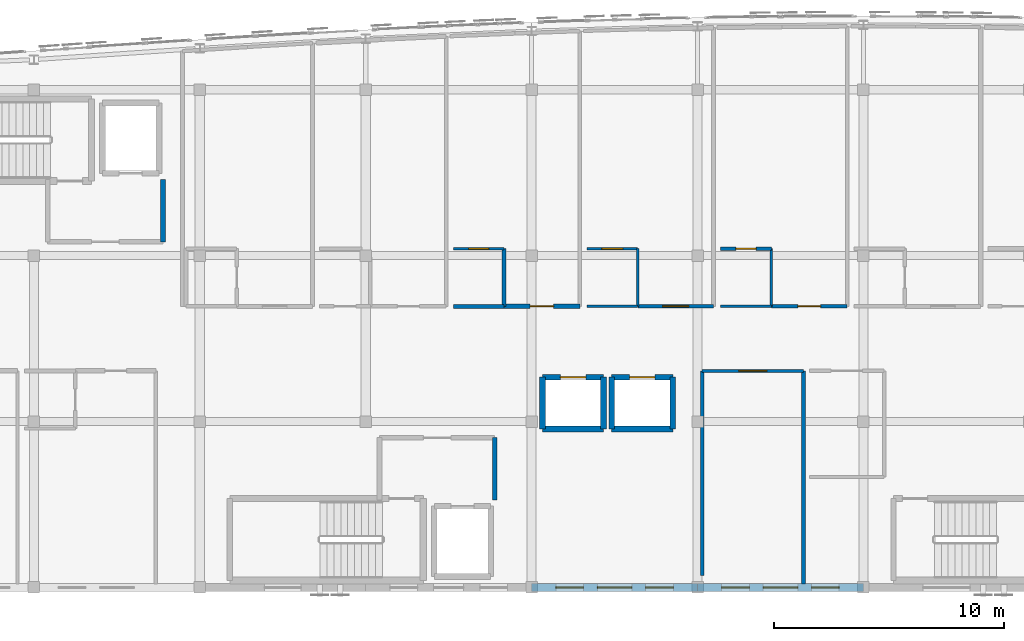
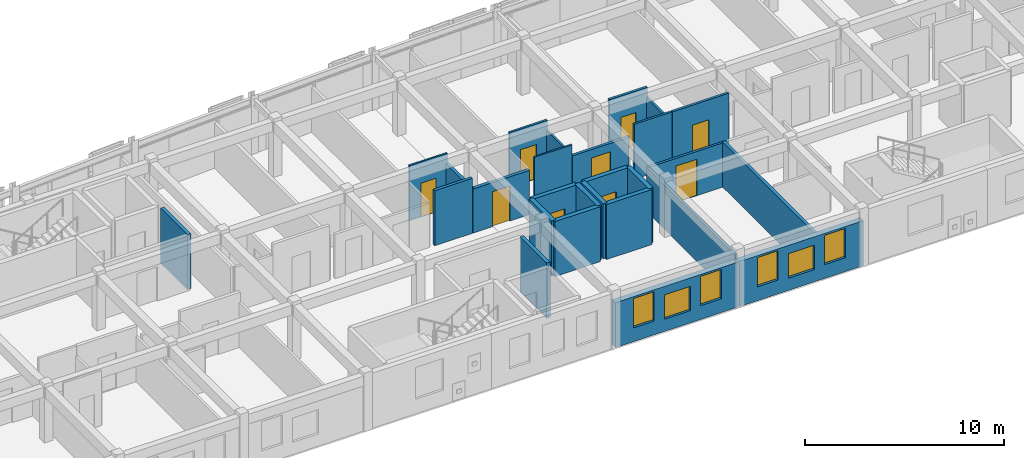
# One storey, part 28 of 34: 27 walls, 9 doors, 6 windows, 15 openings.
"""IFC4 building model written with IfcOpenShell, lengths in metres."""

from ifc_helpers import new_model, si_unit, direction, frame, frame_2d, origin, place, context, subcontext, project, spatial, rectangle, extrude, material, layer, layer_set, type_object, element, fill, save


model = new_model("IFC4")

# Units and contexts
model_context = context("Model", 3, precision=1e-05, world=origin(), true_north=direction((0.0, 1.0)))
body_context = subcontext(model_context, "Body", "Model", "MODEL_VIEW")
ifc_project = project(units=[si_unit("LENGTHUNIT", "METRE"), si_unit("AREAUNIT", "SQUARE_METRE"), si_unit("VOLUMEUNIT", "CUBIC_METRE"), si_unit("PLANEANGLEUNIT", "RADIAN"), si_unit("MASSUNIT", "GRAM", prefix="KILO")], contexts=[model_context])

# Site, building, storey
site_placement = place(None, origin())
site = spatial("IfcSite", under=ifc_project, at=site_placement, CompositionType="ELEMENT")
building_placement = place(site_placement, origin())
building = spatial("IfcBuilding", under=site, at=building_placement, Name="Carrowvane Square Congress Hotel", CompositionType="ELEMENT")
storey_placement = place(building_placement, frame((0.0, 0.0, 40.800048828125)))
storey = spatial("IfcBuildingStorey", under=building, at=storey_placement, Name="L10", CompositionType="ELEMENT", Elevation=40.800048828125)

# Wall, openings, windows
ifc_material_1 = material(Name="Glazed terracotta rainscreen", Category="masonry")
ifc_layer_1 = layer(ifc_material_1, 0.330078125)
ifc_layer_set_1 = layer_set([ifc_layer_1], Name="Glazed terracotta rainscreen")
wall_type_1 = type_object("IfcWallType", Name="WL-EXT-TC330", PredefinedType="STANDARD", material=ifc_layer_set_1)
wall_1_placement = place(storey_placement, frame((98.0, 91.800048828125, 0.0), z_axis=(0.0, 0.0, 1.0), x_axis=(-1.0, 0.0, 0.0)))
wall_1 = element("IfcWall", 1, at=wall_1_placement, inside=storey, type_object=wall_type_1, Name="L10 exterior facade wall 592", PredefinedType="STANDARD", context=body_context, shape_type="SweptSolid", body=[
    extrude(rectangle(XDim=7.199951171875, YDim=0.330078125, at=frame_2d((3.60009765625, 0.0))), origin(), (0.0, 0.0, 1.0), 2.764892578125),
])
opening_1_placement = place(wall_1_placement, frame((2.85009765625, 0.0, 0.75)))
opening_1 = element("IfcOpeningElement", 2, at=opening_1_placement, cuts=wall_1, Name="Opening W-15", PredefinedType="OPENING", context=body_context, shape_type="SweptSolid", body=[
    extrude(rectangle(XDim=1.5, YDim=1.5, at=frame_2d((0.75, 0.75))), frame((0.0, 0.175048828125, 0.0), z_axis=(0.0, -1.0, 0.0), x_axis=(1.0, 0.0, 0.0)), (0.0, 0.0, 1.0), 0.35009765625),
])
opening_2_placement = place(wall_1_placement, frame((1.050048828125, 0.0, 0.85009765625)))
opening_2 = element("IfcOpeningElement", 3, at=opening_2_placement, cuts=wall_1, Name="Opening W-01", PredefinedType="OPENING", context=body_context, shape_type="SweptSolid", body=[
    extrude(rectangle(XDim=1.199951171875, YDim=1.800048828125, at=frame_2d((0.60009765625, 0.89990234375))), frame((0.0, 0.175048828125, 0.0), z_axis=(0.0, -1.0, 0.0), x_axis=(1.0, 0.0, 0.0)), (0.0, 0.0, 1.0), 0.35009765625),
])
opening_3_placement = place(wall_1_placement, frame((4.949951171875, 0.0, 0.85009765625)))
opening_3 = element("IfcOpeningElement", 4, at=opening_3_placement, cuts=wall_1, Name="Opening W-01", PredefinedType="OPENING", context=body_context, shape_type="SweptSolid", body=[
    extrude(rectangle(XDim=1.199951171875, YDim=1.800048828125, at=frame_2d((0.60009765625, 0.89990234375))), frame((0.0, 0.175048828125, 0.0), z_axis=(0.0, -1.0, 0.0), x_axis=(1.0, 0.0, 0.0)), (0.0, 0.0, 1.0), 0.35009765625),
])
ifc_material_2 = material(Name="Double-glazed low-E glass", Category="glass")
window_type_1 = type_object("IfcWindowType", Name="WIN-01", PartitioningType="SINGLE_PANEL", PredefinedType="WINDOW", material=ifc_material_2)
window_1_placement = place(opening_2_placement, origin())
window_1 = element("IfcWindow", 5, at=window_1_placement, inside=storey, type_object=window_type_1, Name="L10 guest bedroom window 469", OverallHeight=1.800048828125, OverallWidth=1.199951171875, PartitioningType="SINGLE_PANEL", PredefinedType="WINDOW", context=body_context, shape_type="SweptSolid", body=[
    extrude(rectangle(XDim=1.199951171875, YDim=1.800048828125, at=frame_2d((0.60009765625, 0.89990234375))), frame((0.0, 0.030029296875, 0.0), z_axis=(0.0, -1.0, 0.0), x_axis=(1.0, 0.0, 0.0)), (0.0, 0.0, 1.0), 0.06005859375),
])
fill(opening_2, window_1)
window_2_placement = place(opening_3_placement, origin())
window_2 = element("IfcWindow", 6, at=window_2_placement, inside=storey, type_object=window_type_1, Name="L10 guest bedroom window 470", OverallHeight=1.800048828125, OverallWidth=1.199951171875, PartitioningType="SINGLE_PANEL", PredefinedType="WINDOW", context=body_context, shape_type="SweptSolid", body=[
    extrude(rectangle(XDim=1.199951171875, YDim=1.800048828125, at=frame_2d((0.60009765625, 0.89990234375))), frame((0.0, 0.030029296875, 0.0), z_axis=(0.0, -1.0, 0.0), x_axis=(1.0, 0.0, 0.0)), (0.0, 0.0, 1.0), 0.06005859375),
])
fill(opening_3, window_2)
ifc_material_3 = material(Name="Double-glazed low-E glass", Category="glass")
window_type_2 = type_object("IfcWindowType", Name="WIN-15", PartitioningType="SINGLE_PANEL", PredefinedType="WINDOW", material=ifc_material_3)
window_3_placement = place(opening_1_placement, origin())
window_3 = element("IfcWindow", 7, at=window_3_placement, inside=storey, type_object=window_type_2, Name="L10 facade window 468", OverallHeight=1.5, OverallWidth=1.5, PartitioningType="SINGLE_PANEL", PredefinedType="WINDOW", context=body_context, shape_type="SweptSolid", body=[
    extrude(rectangle(XDim=1.5, YDim=1.5, at=frame_2d((0.75, 0.75))), frame((0.0, 0.030029296875, 0.0), z_axis=(0.0, -1.0, 0.0), x_axis=(1.0, 0.0, 0.0)), (0.0, 0.0, 1.0), 0.06005859375),
])
fill(opening_1, window_3)

wall_2_placement = place(storey_placement, frame((90.800048828125, 91.800048828125, 0.0), z_axis=(0.0, 0.0, 1.0), x_axis=(-1.0, 0.0, 0.0)))
wall_2 = element("IfcWall", 8, at=wall_2_placement, inside=storey, type_object=wall_type_1, Name="L10 exterior facade wall 593", PredefinedType="STANDARD", context=body_context, shape_type="SweptSolid", body=[
    extrude(rectangle(XDim=7.199951171875, YDim=0.330078125, at=frame_2d((3.60009765625, 0.0))), origin(), (0.0, 0.0, 1.0), 2.764892578125),
])
opening_4_placement = place(wall_2_placement, frame((2.85009765625, 0.0, 0.75)))
opening_4 = element("IfcOpeningElement", 9, at=opening_4_placement, cuts=wall_2, Name="Opening W-15", PredefinedType="OPENING", context=body_context, shape_type="SweptSolid", body=[
    extrude(rectangle(XDim=1.5, YDim=1.5, at=frame_2d((0.75, 0.75))), frame((0.0, 0.175048828125, 0.0), z_axis=(0.0, -1.0, 0.0), x_axis=(1.0, 0.0, 0.0)), (0.0, 0.0, 1.0), 0.35009765625),
])
opening_5_placement = place(wall_2_placement, frame((1.050048828125, 0.0, 0.85009765625)))
opening_5 = element("IfcOpeningElement", 10, at=opening_5_placement, cuts=wall_2, Name="Opening W-01", PredefinedType="OPENING", context=body_context, shape_type="SweptSolid", body=[
    extrude(rectangle(XDim=1.199951171875, YDim=1.800048828125, at=frame_2d((0.60009765625, 0.89990234375))), frame((0.0, 0.175048828125, 0.0), z_axis=(0.0, -1.0, 0.0), x_axis=(1.0, 0.0, 0.0)), (0.0, 0.0, 1.0), 0.35009765625),
])
opening_6_placement = place(wall_2_placement, frame((4.949951171875, 0.0, 0.85009765625)))
opening_6 = element("IfcOpeningElement", 11, at=opening_6_placement, cuts=wall_2, Name="Opening W-01", PredefinedType="OPENING", context=body_context, shape_type="SweptSolid", body=[
    extrude(rectangle(XDim=1.199951171875, YDim=1.800048828125, at=frame_2d((0.60009765625, 0.89990234375))), frame((0.0, 0.175048828125, 0.0), z_axis=(0.0, -1.0, 0.0), x_axis=(1.0, 0.0, 0.0)), (0.0, 0.0, 1.0), 0.35009765625),
])
window_4_placement = place(opening_5_placement, origin())
window_4 = element("IfcWindow", 12, at=window_4_placement, inside=storey, type_object=window_type_1, Name="L10 guest bedroom window 472", OverallHeight=1.800048828125, OverallWidth=1.199951171875, PartitioningType="SINGLE_PANEL", PredefinedType="WINDOW", context=body_context, shape_type="SweptSolid", body=[
    extrude(rectangle(XDim=1.199951171875, YDim=1.800048828125, at=frame_2d((0.60009765625, 0.89990234375))), frame((0.0, 0.030029296875, 0.0), z_axis=(0.0, -1.0, 0.0), x_axis=(1.0, 0.0, 0.0)), (0.0, 0.0, 1.0), 0.06005859375),
])
fill(opening_5, window_4)
window_5_placement = place(opening_6_placement, origin())
window_5 = element("IfcWindow", 13, at=window_5_placement, inside=storey, type_object=window_type_1, Name="L10 guest bedroom window 473", OverallHeight=1.800048828125, OverallWidth=1.199951171875, PartitioningType="SINGLE_PANEL", PredefinedType="WINDOW", context=body_context, shape_type="SweptSolid", body=[
    extrude(rectangle(XDim=1.199951171875, YDim=1.800048828125, at=frame_2d((0.60009765625, 0.89990234375))), frame((0.0, 0.030029296875, 0.0), z_axis=(0.0, -1.0, 0.0), x_axis=(1.0, 0.0, 0.0)), (0.0, 0.0, 1.0), 0.06005859375),
])
fill(opening_6, window_5)
window_6_placement = place(opening_4_placement, origin())
window_6 = element("IfcWindow", 14, at=window_6_placement, inside=storey, type_object=window_type_2, Name="L10 facade window 471", OverallHeight=1.5, OverallWidth=1.5, PartitioningType="SINGLE_PANEL", PredefinedType="WINDOW", context=body_context, shape_type="SweptSolid", body=[
    extrude(rectangle(XDim=1.5, YDim=1.5, at=frame_2d((0.75, 0.75))), frame((0.0, 0.030029296875, 0.0), z_axis=(0.0, -1.0, 0.0), x_axis=(1.0, 0.0, 0.0)), (0.0, 0.0, 1.0), 0.06005859375),
])
fill(opening_4, window_6)

# Wall, opening, door
ifc_material_4 = material(Name="Acoustic gypsum board", Category="gypsum")
ifc_layer_2 = layer(ifc_material_4, 0.155029296875)
ifc_layer_set_2 = layer_set([ifc_layer_2], Name="Acoustic gypsum board")
wall_type_2 = type_object("IfcWallType", Name="WL-FIR-155", PredefinedType="PARTITIONING", material=ifc_layer_set_2)
wall_3_placement = place(storey_placement, frame((91.489990234375, 104.0, 0.0), z_axis=(0.0, 0.0, 1.0), x_axis=(-1.0, 0.0, 0.0)))
wall_3 = element("IfcWall", 15, at=wall_3_placement, inside=storey, type_object=wall_type_2, Name="L10 Parkview Suite 1011 partition", PredefinedType="PARTITIONING", context=body_context, shape_type="SweptSolid", body=[
    extrude(rectangle(XDim=3.280029296875, YDim=0.155029296875, at=frame_2d((1.64013671875, 0.0))), origin(), (0.0, 0.0, 1.0), 2.71484375),
])
opening_7_placement = place(wall_3_placement, frame((1.080078125, 0.0, 0.0)))
opening_7 = element("IfcOpeningElement", 16, at=opening_7_placement, cuts=wall_3, Name="Opening FD-10", PredefinedType="OPENING", context=body_context, shape_type="SweptSolid", body=[
    extrude(rectangle(XDim=1.1201171875, YDim=2.199951171875, at=frame_2d((0.56005859375, 1.10009765625))), frame((0.0, 0.08740234375, 0.0), z_axis=(0.0, -1.0, 0.0), x_axis=(1.0, 0.0, 0.0)), (0.0, 0.0, 1.0), 0.175048828125),
])
ifc_material_5 = material(Name="European oak timber", Category="wood")
door_type_1 = type_object("IfcDoorType", Name="DR-FD30-1120x2200", OperationType="NOTDEFINED", PredefinedType="DOOR", material=ifc_material_5)
door_1_placement = place(opening_7_placement, origin())
door_1 = element("IfcDoor", 17, at=door_1_placement, inside=storey, type_object=door_type_1, Name="L10 Parkview Suite 1011 entrance door", OperationType="SINGLE_SWING_LEFT", OverallHeight=2.199951171875, OverallWidth=1.1201171875, PredefinedType="DOOR", context=body_context, shape_type="SweptSolid", body=[
    extrude(rectangle(XDim=1.1201171875, YDim=2.199951171875, at=frame_2d((0.56005859375, 1.10009765625))), frame((0.0, 0.02490234375, 0.0), z_axis=(0.0, -1.0, 0.0), x_axis=(1.0, 0.0, 0.0)), (0.0, 0.0, 1.0), 0.050048828125),
])
fill(opening_7, door_1)

# Walls
ifc_material_6 = material(Name="Acoustic gypsum board", Category="gypsum")
ifc_layer_3 = layer(ifc_material_6, 0.169921875)
ifc_layer_set_3 = layer_set([ifc_layer_3], Name="Acoustic gypsum board")
wall_type_3 = type_object("IfcWallType", Name="WL-FIR-170", PredefinedType="PARTITIONING", material=ifc_layer_set_3)
wall_4_placement = place(storey_placement, frame((82.39990234375, 104.0, 0.0), z_axis=(0.0, 0.0, 1.0), x_axis=(-1.0, 0.0, 0.0)))
element("IfcWall", 18, at=wall_4_placement, inside=storey, type_object=wall_type_3, Name="L10 En-suite Bathroom 1010 partition", PredefinedType="PARTITIONING", context=body_context, shape_type="SweptSolid", body=[
    extrude(rectangle(XDim=2.199951171875, YDim=0.169921875, at=frame_2d((1.10009765625, 0.0))), origin(), (0.0, 0.0, 1.0), 3.3798828125),
])
ifc_material_7 = material(Name="Acoustic gypsum board", Category="gypsum")
ifc_layer_4 = layer(ifc_material_7, 0.18505859375)
ifc_layer_set_4 = layer_set([ifc_layer_4], Name="Acoustic gypsum board")
wall_type_4 = type_object("IfcWallType", Name="WL-FIR-185", PredefinedType="PARTITIONING", material=ifc_layer_set_4)
wall_5_placement = place(storey_placement, frame((95.39990234375, 101.199951171875, 0.0), z_axis=(0.0, 0.0, 1.0), x_axis=(0.0, -1.0, 0.0)))
element("IfcWall", 19, at=wall_5_placement, inside=storey, type_object=wall_type_4, Name="L10 L10 Housekeeping Linen Pantry partition", PredefinedType="PARTITIONING", context=body_context, shape_type="SweptSolid", body=[
    extrude(rectangle(XDim=9.239990234375, YDim=0.18505859375, at=frame_2d((4.6201171875, 0.0))), origin(), (0.0, 0.0, 1.0), 2.764892578125),
])
wall_6_placement = place(storey_placement, frame((82.39990234375, 106.5, 0.0), z_axis=(0.0, 0.0, 1.0), x_axis=(0.0, -1.0, 0.0)))
element("IfcWall", 20, at=wall_6_placement, inside=storey, type_object=wall_type_4, Name="L10 En-suite Bathroom 1010 partition", PredefinedType="PARTITIONING", context=body_context, shape_type="SweptSolid", body=[
    extrude(rectangle(XDim=2.5, YDim=0.18505859375, at=frame_2d((1.25, 0.0))), origin(), (0.0, 0.0, 1.0), 2.764892578125),
])

# Wall, opening, door
wall_7_placement = place(storey_placement, frame((85.68994140625, 104.0, 0.0), z_axis=(0.0, 0.0, 1.0), x_axis=(-1.0, 0.0, 0.0)))
wall_7 = element("IfcWall", 21, at=wall_7_placement, inside=storey, type_object=wall_type_4, Name="L10 Parkview Suite 1010 partition", PredefinedType="PARTITIONING", context=body_context, shape_type="SweptSolid", body=[
    extrude(rectangle(XDim=3.280029296875, YDim=0.18505859375, at=frame_2d((1.64013671875, 0.0))), origin(), (0.0, 0.0, 1.0), 2.71484375),
])
opening_8_placement = place(wall_7_placement, frame((1.1298828125, 0.0, 0.0)))
opening_8 = element("IfcOpeningElement", 22, at=opening_8_placement, cuts=wall_7, Name="Opening FD-08", PredefinedType="OPENING", context=body_context, shape_type="SweptSolid", body=[
    extrude(rectangle(XDim=1.02001953125, YDim=2.14990234375, at=frame_2d((0.510009765625, 1.074951171875))), frame((0.0, 0.1025390625, 0.0), z_axis=(0.0, -1.0, 0.0), x_axis=(1.0, 0.0, 0.0)), (0.0, 0.0, 1.0), 0.205078125),
])
ifc_material_8 = material(Name="European oak timber", Category="wood")
door_type_2 = type_object("IfcDoorType", Name="DR-FD30-1020x2150", OperationType="NOTDEFINED", PredefinedType="DOOR", material=ifc_material_8)
door_2_placement = place(opening_8_placement, origin())
door_2 = element("IfcDoor", 23, at=door_2_placement, inside=storey, type_object=door_type_2, Name="L10 Parkview Suite 1010 entrance door", OperationType="SINGLE_SWING_LEFT", OverallHeight=2.14990234375, OverallWidth=1.02001953125, PredefinedType="DOOR", context=body_context, shape_type="SweptSolid", body=[
    extrude(rectangle(XDim=1.02001953125, YDim=2.14990234375, at=frame_2d((0.510009765625, 1.074951171875))), frame((0.0, 0.02490234375, 0.0), z_axis=(0.0, -1.0, 0.0), x_axis=(1.0, 0.0, 0.0)), (0.0, 0.0, 1.0), 0.050048828125),
])
fill(opening_8, door_2)

# Walls
ifc_material_9 = material(Name="Acoustic gypsum board", Category="gypsum")
ifc_layer_5 = layer(ifc_material_9, 0.205078125)
ifc_layer_set_5 = layer_set([ifc_layer_5], Name="Acoustic gypsum board")
wall_type_5 = type_object("IfcWallType", Name="WL-FIR-205", PredefinedType="PARTITIONING", material=ifc_layer_set_5)
for number, where, z_axis, x_axis, name in (
    (24, (67.60009765625, 106.800048828125, 0.0), (0.0, 0.0, 1.0), (0.0, 1.0, 0.0), "L10 Firefighting Lobby C1 wall east"),
    (25, (82.0, 95.60009765625, 0.0), (0.0, 0.0, 1.0), (0.0, 1.0, 0.0), "L10 Firefighting Lobby C2 wall east"),
):
    element("IfcWall", number, at=place(storey_placement, frame(where, z_axis=z_axis, x_axis=x_axis)), inside=storey, type_object=wall_type_5, Name=name, PredefinedType="PARTITIONING", context=body_context, shape_type="SweptSolid", body=[
        extrude(rectangle(XDim=2.699951171875, YDim=0.205078125, at=frame_2d((1.35009765625, 0.0))), origin(), (0.0, 0.0, 1.0), 3.3798828125),
    ])

# Wall, opening, door
ifc_material_10 = material(Name="Acoustic gypsum board", Category="gypsum")
ifc_layer_6 = layer(ifc_material_10, 0.097900390625)
ifc_layer_set_6 = layer_set([ifc_layer_6], Name="Acoustic gypsum board")
wall_type_6 = type_object("IfcWallType", Name="WL-PRT-098", PredefinedType="PARTITIONING", material=ifc_layer_set_6)
wall_8_placement = place(storey_placement, frame((80.199951171875, 106.5, 0.0), z_axis=(0.0, 0.0, 1.0), x_axis=(1.0, 0.0, 0.0)))
wall_8 = element("IfcWall", 26, at=wall_8_placement, inside=storey, type_object=wall_type_6, Name="L10 En-suite Bathroom 1010 partition", PredefinedType="PARTITIONING", context=body_context, shape_type="SweptSolid", body=[
    extrude(rectangle(XDim=2.199951171875, YDim=0.097900390625, at=frame_2d((1.10009765625, 0.0))), origin(), (0.0, 0.0, 1.0), 3.3798828125),
])
opening_9_placement = place(wall_8_placement, frame((0.6650390625, 0.0, 0.0)))
opening_9 = element("IfcOpeningElement", 27, at=opening_9_placement, cuts=wall_8, Name="Opening ID-15", PredefinedType="OPENING", context=body_context, shape_type="SweptSolid", body=[
    extrude(rectangle(XDim=0.8701171875, YDim=2.070068359375, at=frame_2d((0.43505859375, 1.03515625))), frame((0.0, 0.058837890625, 0.0), z_axis=(0.0, -1.0, 0.0), x_axis=(1.0, 0.0, 0.0)), (0.0, 0.0, 1.0), 0.117919921875),
])
ifc_material_11 = material(Name="European oak timber", Category="wood")
door_type_3 = type_object("IfcDoorType", Name="DR-INT-0870x2070", OperationType="NOTDEFINED", PredefinedType="DOOR", material=ifc_material_11)
door_3_placement = place(opening_9_placement, origin())
door_3 = element("IfcDoor", 28, at=door_3_placement, inside=storey, type_object=door_type_3, Name="L10 En-suite Bathroom 1010 door", OperationType="SINGLE_SWING_RIGHT", OverallHeight=2.070068359375, OverallWidth=0.8701171875, PredefinedType="DOOR", context=body_context, shape_type="SweptSolid", body=[
    extrude(rectangle(XDim=0.8701171875, YDim=2.070068359375, at=frame_2d((0.43505859375, 1.03515625))), frame((0.0, 0.02490234375, 0.0), z_axis=(0.0, -1.0, 0.0), x_axis=(1.0, 0.0, 0.0)), (0.0, 0.0, 1.0), 0.050048828125),
])
fill(opening_9, door_3)

# Walls
wall_9_placement = place(storey_placement, frame((88.199951171875, 104.0, 0.0), z_axis=(0.0, 0.0, 1.0), x_axis=(-1.0, 0.0, 0.0)))
element("IfcWall", 29, at=wall_9_placement, inside=storey, type_object=wall_type_6, Name="L10 En-suite Bathroom 1011 partition", PredefinedType="PARTITIONING", context=body_context, shape_type="SweptSolid", body=[
    extrude(rectangle(XDim=2.199951171875, YDim=0.097900390625, at=frame_2d((1.10009765625, 0.0))), origin(), (0.0, 0.0, 1.0), 3.3798828125),
])
ifc_material_12 = material(Name="Acoustic gypsum board", Category="gypsum")
ifc_layer_7 = layer(ifc_material_12, 0.10791015625)
ifc_layer_set_7 = layer_set([ifc_layer_7], Name="Acoustic gypsum board")
wall_type_7 = type_object("IfcWallType", Name="WL-PRT-108", PredefinedType="PARTITIONING", material=ifc_layer_set_7)
wall_10_placement = place(storey_placement, frame((88.199951171875, 106.5, 0.0), z_axis=(0.0, 0.0, 1.0), x_axis=(0.0, -1.0, 0.0)))
element("IfcWall", 30, at=wall_10_placement, inside=storey, type_object=wall_type_7, Name="L10 En-suite Bathroom 1011 partition", PredefinedType="PARTITIONING", context=body_context, shape_type="SweptSolid", body=[
    extrude(rectangle(XDim=2.5, YDim=0.10791015625, at=frame_2d((1.25, 0.0))), origin(), (0.0, 0.0, 1.0), 2.764892578125),
])

# Wall, opening, door
ifc_material_13 = material(Name="Acoustic gypsum board", Category="gypsum")
ifc_layer_8 = layer(ifc_material_13, 0.117919921875)
ifc_layer_set_8 = layer_set([ifc_layer_8], Name="Acoustic gypsum board")
wall_type_8 = type_object("IfcWallType", Name="WL-PRT-118", PredefinedType="PARTITIONING", material=ifc_layer_set_8)
wall_11_placement = place(storey_placement, frame((86.0, 106.5, 0.0), z_axis=(0.0, 0.0, 1.0), x_axis=(1.0, 0.0, 0.0)))
wall_11 = element("IfcWall", 31, at=wall_11_placement, inside=storey, type_object=wall_type_8, Name="L10 En-suite Bathroom 1011 partition", PredefinedType="PARTITIONING", context=body_context, shape_type="SweptSolid", body=[
    extrude(rectangle(XDim=2.199951171875, YDim=0.117919921875, at=frame_2d((1.10009765625, 0.0))), origin(), (0.0, 0.0, 1.0), 3.3798828125),
])
opening_10_placement = place(wall_11_placement, frame((0.64501953125, 0.0, 0.0)))
opening_10 = element("IfcOpeningElement", 32, at=opening_10_placement, cuts=wall_11, Name="Opening ID-17", PredefinedType="OPENING", context=body_context, shape_type="SweptSolid", body=[
    extrude(rectangle(XDim=0.909912109375, YDim=2.110107421875, at=frame_2d((0.455078125, 1.05517578125))), frame((0.0, 0.06884765625, 0.0), z_axis=(0.0, -1.0, 0.0), x_axis=(1.0, 0.0, 0.0)), (0.0, 0.0, 1.0), 0.137939453125),
])
ifc_material_14 = material(Name="European oak timber", Category="wood")
door_type_4 = type_object("IfcDoorType", Name="DR-INT-0910x2110", OperationType="NOTDEFINED", PredefinedType="DOOR", material=ifc_material_14)
door_4_placement = place(opening_10_placement, origin())
door_4 = element("IfcDoor", 33, at=door_4_placement, inside=storey, type_object=door_type_4, Name="L10 En-suite Bathroom 1011 door", OperationType="SINGLE_SWING_RIGHT", OverallHeight=2.110107421875, OverallWidth=0.909912109375, PredefinedType="DOOR", context=body_context, shape_type="SweptSolid", body=[
    extrude(rectangle(XDim=0.909912109375, YDim=2.110107421875, at=frame_2d((0.455078125, 1.05517578125))), frame((0.0, 0.02490234375, 0.0), z_axis=(0.0, -1.0, 0.0), x_axis=(1.0, 0.0, 0.0)), (0.0, 0.0, 1.0), 0.050048828125),
])
fill(opening_10, door_4)

# Walls
wall_12_placement = place(storey_placement, frame((94.0, 104.0, 0.0), z_axis=(0.0, 0.0, 1.0), x_axis=(-1.0, 0.0, 0.0)))
element("IfcWall", 34, at=wall_12_placement, inside=storey, type_object=wall_type_8, Name="L10 En-suite Bathroom 1012 partition", PredefinedType="PARTITIONING", context=body_context, shape_type="SweptSolid", body=[
    extrude(rectangle(XDim=2.199951171875, YDim=0.117919921875, at=frame_2d((1.10009765625, 0.0))), origin(), (0.0, 0.0, 1.0), 3.3798828125),
])
ifc_material_15 = material(Name="Acoustic gypsum board", Category="gypsum")
ifc_layer_9 = layer(ifc_material_15, 0.1279296875)
ifc_layer_set_9 = layer_set([ifc_layer_9], Name="Acoustic gypsum board")
wall_type_9 = type_object("IfcWallType", Name="WL-PRT-128", PredefinedType="PARTITIONING", material=ifc_layer_set_9)
wall_13_placement = place(storey_placement, frame((94.0, 106.5, 0.0), z_axis=(0.0, 0.0, 1.0), x_axis=(0.0, -1.0, 0.0)))
element("IfcWall", 35, at=wall_13_placement, inside=storey, type_object=wall_type_9, Name="L10 En-suite Bathroom 1012 partition", PredefinedType="PARTITIONING", context=body_context, shape_type="SweptSolid", body=[
    extrude(rectangle(XDim=2.5, YDim=0.1279296875, at=frame_2d((1.25, 0.0))), origin(), (0.0, 0.0, 1.0), 2.764892578125),
])

# Wall, opening, door
ifc_material_16 = material(Name="Acoustic gypsum board", Category="gypsum")
ifc_layer_10 = layer(ifc_material_16, 0.137939453125)
ifc_layer_set_10 = layer_set([ifc_layer_10], Name="Acoustic gypsum board")
wall_type_10 = type_object("IfcWallType", Name="WL-PRT-138", PredefinedType="PARTITIONING", material=ifc_layer_set_10)
wall_14_placement = place(storey_placement, frame((91.0, 101.199951171875, 0.0), z_axis=(0.0, 0.0, 1.0), x_axis=(1.0, 0.0, 0.0)))
wall_14 = element("IfcWall", 36, at=wall_14_placement, inside=storey, type_object=wall_type_10, Name="L10 L10 Housekeeping Linen Pantry partition", PredefinedType="PARTITIONING", context=body_context, shape_type="SweptSolid", body=[
    extrude(rectangle(XDim=4.39990234375, YDim=0.137939453125, at=frame_2d((2.199951171875, 0.0))), origin(), (0.0, 0.0, 1.0), 2.71484375),
])
opening_11_placement = place(wall_14_placement, frame((1.590087890625, 0.0, 0.0)))
opening_11 = element("IfcOpeningElement", 37, at=opening_11_placement, cuts=wall_14, Name="Opening ID-24", PredefinedType="OPENING", context=body_context, shape_type="SweptSolid", body=[
    extrude(rectangle(XDim=1.219970703125, YDim=2.239990234375, at=frame_2d((0.60986328125, 1.1201171875))), frame((0.0, 0.078857421875, 0.0), z_axis=(0.0, -1.0, 0.0), x_axis=(1.0, 0.0, 0.0)), (0.0, 0.0, 1.0), 0.157958984375),
])
ifc_material_17 = material(Name="European oak timber", Category="wood")
door_type_5 = type_object("IfcDoorType", Name="DR-INT-1220x2240", OperationType="NOTDEFINED", PredefinedType="DOOR", material=ifc_material_17)
door_5_placement = place(opening_11_placement, origin())
door_5 = element("IfcDoor", 38, at=door_5_placement, inside=storey, type_object=door_type_5, Name="L10 L10 Housekeeping Linen Pantry entrance door", OperationType="SINGLE_SWING_LEFT", OverallHeight=2.239990234375, OverallWidth=1.219970703125, PredefinedType="DOOR", context=body_context, shape_type="SweptSolid", body=[
    extrude(rectangle(XDim=1.219970703125, YDim=2.239990234375, at=frame_2d((0.60986328125, 1.1201171875))), frame((0.0, 0.02490234375, 0.0), z_axis=(0.0, -1.0, 0.0), x_axis=(1.0, 0.0, 0.0)), (0.0, 0.0, 1.0), 0.050048828125),
])
fill(opening_11, door_5)

wall_15_placement = place(storey_placement, frame((91.800048828125, 106.5, 0.0), z_axis=(0.0, 0.0, 1.0), x_axis=(1.0, 0.0, 0.0)))
wall_15 = element("IfcWall", 39, at=wall_15_placement, inside=storey, type_object=wall_type_10, Name="L10 En-suite Bathroom 1012 partition", PredefinedType="PARTITIONING", context=body_context, shape_type="SweptSolid", body=[
    extrude(rectangle(XDim=2.199951171875, YDim=0.137939453125, at=frame_2d((1.10009765625, 0.0))), origin(), (0.0, 0.0, 1.0), 3.3798828125),
])
opening_12_placement = place(wall_15_placement, frame((0.659912109375, 0.0, 0.0)))
opening_12 = element("IfcOpeningElement", 40, at=opening_12_placement, cuts=wall_15, Name="Opening ID-01", PredefinedType="OPENING", context=body_context, shape_type="SweptSolid", body=[
    extrude(rectangle(XDim=0.8798828125, YDim=2.06005859375, at=frame_2d((0.43994140625, 1.030029296875))), frame((0.0, 0.078857421875, 0.0), z_axis=(0.0, -1.0, 0.0), x_axis=(1.0, 0.0, 0.0)), (0.0, 0.0, 1.0), 0.157958984375),
])
ifc_material_18 = material(Name="European oak timber", Category="wood")
door_type_6 = type_object("IfcDoorType", Name="DR-INT-0880x2060", OperationType="NOTDEFINED", PredefinedType="DOOR", material=ifc_material_18)
door_6_placement = place(opening_12_placement, origin())
door_6 = element("IfcDoor", 41, at=door_6_placement, inside=storey, type_object=door_type_6, Name="L10 En-suite Bathroom 1012 door", OperationType="SINGLE_SWING_RIGHT", OverallHeight=2.06005859375, OverallWidth=0.8798828125, PredefinedType="DOOR", context=body_context, shape_type="SweptSolid", body=[
    extrude(rectangle(XDim=0.8798828125, YDim=2.06005859375, at=frame_2d((0.43994140625, 1.030029296875))), frame((0.0, 0.02490234375, 0.0), z_axis=(0.0, -1.0, 0.0), x_axis=(1.0, 0.0, 0.0)), (0.0, 0.0, 1.0), 0.050048828125),
])
fill(opening_12, door_6)

wall_16_placement = place(storey_placement, frame((97.2900390625, 104.0, 0.0), z_axis=(0.0, 0.0, 1.0), x_axis=(-1.0, 0.0, 0.0)))
wall_16 = element("IfcWall", 42, at=wall_16_placement, inside=storey, type_object=wall_type_10, Name="L10 Parkview Suite 1012 partition", PredefinedType="PARTITIONING", context=body_context, shape_type="SweptSolid", body=[
    extrude(rectangle(XDim=3.280029296875, YDim=0.137939453125, at=frame_2d((1.64013671875, 0.0))), origin(), (0.0, 0.0, 1.0), 3.3798828125),
])
opening_13_placement = place(wall_16_placement, frame((1.14990234375, 0.0, 0.0)))
opening_13 = element("IfcOpeningElement", 43, at=opening_13_placement, cuts=wall_16, Name="Opening FD-07", PredefinedType="OPENING", context=body_context, shape_type="SweptSolid", body=[
    extrude(rectangle(XDim=0.97998046875, YDim=2.14990234375, at=frame_2d((0.489990234375, 1.074951171875))), frame((0.0, 0.078857421875, 0.0), z_axis=(0.0, -1.0, 0.0), x_axis=(1.0, 0.0, 0.0)), (0.0, 0.0, 1.0), 0.157958984375),
])
ifc_material_19 = material(Name="European oak timber", Category="wood")
door_type_7 = type_object("IfcDoorType", Name="DR-FD30-0980x2150", OperationType="NOTDEFINED", PredefinedType="DOOR", material=ifc_material_19)
door_7_placement = place(opening_13_placement, origin())
door_7 = element("IfcDoor", 44, at=door_7_placement, inside=storey, type_object=door_type_7, Name="L10 Parkview Suite 1012 entrance door", OperationType="SINGLE_SWING_LEFT", OverallHeight=2.14990234375, OverallWidth=0.97998046875, PredefinedType="DOOR", context=body_context, shape_type="SweptSolid", body=[
    extrude(rectangle(XDim=0.97998046875, YDim=2.14990234375, at=frame_2d((0.489990234375, 1.074951171875))), frame((0.0, 0.02490234375, 0.0), z_axis=(0.0, -1.0, 0.0), x_axis=(1.0, 0.0, 0.0)), (0.0, 0.0, 1.0), 0.050048828125),
])
fill(opening_13, door_7)

# Walls
ifc_material_20 = material(Name="Acoustic gypsum board", Category="gypsum")
ifc_layer_11 = layer(ifc_material_20, 0.14794921875)
ifc_layer_set_11 = layer_set([ifc_layer_11], Name="Acoustic gypsum board")
wall_type_11 = type_object("IfcWallType", Name="WL-PRT-148", PredefinedType="PARTITIONING", material=ifc_layer_set_11)
wall_17_placement = place(storey_placement, frame((91.0, 92.320068359375, 0.0), z_axis=(0.0, 0.0, 1.0), x_axis=(0.0, 1.0, 0.0)))
element("IfcWall", 45, at=wall_17_placement, inside=storey, type_object=wall_type_11, Name="L10 L10 Housekeeping Linen Pantry partition", PredefinedType="PARTITIONING", context=body_context, shape_type="SweptSolid", body=[
    extrude(rectangle(XDim=8.8798828125, YDim=0.14794921875, at=frame_2d((4.43994140625, 0.0))), origin(), (0.0, 0.0, 1.0), 2.71484375),
])
ifc_material_21 = material(Name="Concrete C40/50", Category="concrete")
ifc_layer_12 = layer(ifc_material_21, 0.25)
ifc_layer_set_12 = layer_set([ifc_layer_12], Name="Concrete C40/50")
wall_type_12 = type_object("IfcWallType", Name="WL-SHR-250", PredefinedType="SHEAR", material=ifc_layer_set_12)
wall_18_placement = place(storey_placement, frame((84.074951171875, 98.675048828125, 0.0), z_axis=(0.0, 0.0, 1.0), x_axis=(1.0, 0.0, 0.0)))
element("IfcWall", 46, at=wall_18_placement, inside=storey, type_object=wall_type_12, Name="L10 HL-1 shaft wall south", PredefinedType="SHEAR", context=body_context, shape_type="SweptSolid", body=[
    extrude(rectangle(XDim=2.650146484375, YDim=0.25, at=frame_2d((1.3251953125, 0.0))), origin(), (0.0, 0.0, 1.0), 3.3798828125),
])
wall_19_placement = place(storey_placement, frame((86.72509765625, 98.675048828125, 0.0), z_axis=(0.0, 0.0, 1.0), x_axis=(0.0, 1.0, 0.0)))
element("IfcWall", 47, at=wall_19_placement, inside=storey, type_object=wall_type_12, Name="L10 HL-1 shaft wall east", PredefinedType="SHEAR", context=body_context, shape_type="SweptSolid", body=[
    extrude(rectangle(XDim=2.25, YDim=0.25, at=frame_2d((1.125, 0.0))), origin(), (0.0, 0.0, 1.0), 3.3798828125),
])

# Wall, opening, door
wall_20_placement = place(storey_placement, frame((86.72509765625, 100.925048828125, 0.0), z_axis=(0.0, 0.0, 1.0), x_axis=(-1.0, 0.0, 0.0)))
wall_20 = element("IfcWall", 48, at=wall_20_placement, inside=storey, type_object=wall_type_12, Name="L10 HL-1 shaft wall north", PredefinedType="SHEAR", context=body_context, shape_type="SweptSolid", body=[
    extrude(rectangle(XDim=2.650146484375, YDim=0.25, at=frame_2d((1.3251953125, 0.0))), origin(), (0.0, 0.0, 1.0), 3.3798828125),
])
opening_14_placement = place(wall_20_placement, frame((0.77490234375, 0.0, 0.0)))
opening_14 = element("IfcOpeningElement", 49, at=opening_14_placement, cuts=wall_20, Name="Opening LD-HL-1", PredefinedType="OPENING", context=body_context, shape_type="SweptSolid", body=[
    extrude(rectangle(XDim=1.10009765625, YDim=2.14990234375, at=frame_2d((0.550048828125, 1.074951171875))), frame((0.0, 0.135009765625, 0.0), z_axis=(0.0, -1.0, 0.0), x_axis=(1.0, 0.0, 0.0)), (0.0, 0.0, 1.0), 0.27001953125),
])
ifc_material_22 = material(Name="Stainless steel 316", Category="steel")
door_type_8 = type_object("IfcDoorType", Name="DR-LD-1100x2150", OperationType="DOUBLE_DOOR_SLIDING", PredefinedType="DOOR", material=ifc_material_22)
door_8_placement = place(opening_14_placement, origin())
door_8 = element("IfcDoor", 50, at=door_8_placement, inside=storey, type_object=door_type_8, Name="L10 HL-1 sliding lift landing door", OperationType="DOUBLE_DOOR_SLIDING", OverallHeight=2.14990234375, OverallWidth=1.10009765625, PredefinedType="DOOR", context=body_context, shape_type="SweptSolid", body=[
    extrude(rectangle(XDim=1.10009765625, YDim=2.14990234375, at=frame_2d((0.550048828125, 1.074951171875))), frame((0.0, 0.02490234375, 0.0), z_axis=(0.0, -1.0, 0.0), x_axis=(1.0, 0.0, 0.0)), (0.0, 0.0, 1.0), 0.050048828125),
])
fill(opening_14, door_8)

# Walls
wall_21_placement = place(storey_placement, frame((84.074951171875, 100.925048828125, 0.0), z_axis=(0.0, 0.0, 1.0), x_axis=(0.0, -1.0, 0.0)))
element("IfcWall", 51, at=wall_21_placement, inside=storey, type_object=wall_type_12, Name="L10 HL-1 shaft wall west", PredefinedType="SHEAR", context=body_context, shape_type="SweptSolid", body=[
    extrude(rectangle(XDim=2.25, YDim=0.25, at=frame_2d((1.125, 0.0))), origin(), (0.0, 0.0, 1.0), 3.3798828125),
])
wall_22_placement = place(storey_placement, frame((87.074951171875, 98.675048828125, 0.0), z_axis=(0.0, 0.0, 1.0), x_axis=(1.0, 0.0, 0.0)))
element("IfcWall", 52, at=wall_22_placement, inside=storey, type_object=wall_type_12, Name="L10 HL-2 shaft wall south", PredefinedType="SHEAR", context=body_context, shape_type="SweptSolid", body=[
    extrude(rectangle(XDim=2.650146484375, YDim=0.25, at=frame_2d((1.3251953125, 0.0))), origin(), (0.0, 0.0, 1.0), 3.3798828125),
])
wall_23_placement = place(storey_placement, frame((89.72509765625, 98.675048828125, 0.0), z_axis=(0.0, 0.0, 1.0), x_axis=(0.0, 1.0, 0.0)))
element("IfcWall", 53, at=wall_23_placement, inside=storey, type_object=wall_type_12, Name="L10 HL-2 shaft wall east", PredefinedType="SHEAR", context=body_context, shape_type="SweptSolid", body=[
    extrude(rectangle(XDim=2.25, YDim=0.25, at=frame_2d((1.125, 0.0))), origin(), (0.0, 0.0, 1.0), 3.3798828125),
])

# Wall, opening, door
wall_24_placement = place(storey_placement, frame((89.72509765625, 100.925048828125, 0.0), z_axis=(0.0, 0.0, 1.0), x_axis=(-1.0, 0.0, 0.0)))
wall_24 = element("IfcWall", 54, at=wall_24_placement, inside=storey, type_object=wall_type_12, Name="L10 HL-2 shaft wall north", PredefinedType="SHEAR", context=body_context, shape_type="SweptSolid", body=[
    extrude(rectangle(XDim=2.650146484375, YDim=0.25, at=frame_2d((1.3251953125, 0.0))), origin(), (0.0, 0.0, 1.0), 3.3798828125),
])
opening_15_placement = place(wall_24_placement, frame((0.77490234375, 0.0, 0.0)))
opening_15 = element("IfcOpeningElement", 55, at=opening_15_placement, cuts=wall_24, Name="Opening LD-HL-2", PredefinedType="OPENING", context=body_context, shape_type="SweptSolid", body=[
    extrude(rectangle(XDim=1.10009765625, YDim=2.14990234375, at=frame_2d((0.550048828125, 1.074951171875))), frame((0.0, 0.135009765625, 0.0), z_axis=(0.0, -1.0, 0.0), x_axis=(1.0, 0.0, 0.0)), (0.0, 0.0, 1.0), 0.27001953125),
])
door_9_placement = place(opening_15_placement, origin())
door_9 = element("IfcDoor", 56, at=door_9_placement, inside=storey, type_object=door_type_8, Name="L10 HL-2 sliding lift landing door", OperationType="DOUBLE_DOOR_SLIDING", OverallHeight=2.14990234375, OverallWidth=1.10009765625, PredefinedType="DOOR", context=body_context, shape_type="SweptSolid", body=[
    extrude(rectangle(XDim=1.10009765625, YDim=2.14990234375, at=frame_2d((0.550048828125, 1.074951171875))), frame((0.0, 0.02490234375, 0.0), z_axis=(0.0, -1.0, 0.0), x_axis=(1.0, 0.0, 0.0)), (0.0, 0.0, 1.0), 0.050048828125),
])
fill(opening_15, door_9)

# Wall
wall_25_placement = place(storey_placement, frame((87.074951171875, 100.925048828125, 0.0), z_axis=(0.0, 0.0, 1.0), x_axis=(0.0, -1.0, 0.0)))
element("IfcWall", 57, at=wall_25_placement, inside=storey, type_object=wall_type_12, Name="L10 HL-2 shaft wall west", PredefinedType="SHEAR", context=body_context, shape_type="SweptSolid", body=[
    extrude(rectangle(XDim=2.25, YDim=0.25, at=frame_2d((1.125, 0.0))), origin(), (0.0, 0.0, 1.0), 3.3798828125),
])

save(model, "model.ifc")
